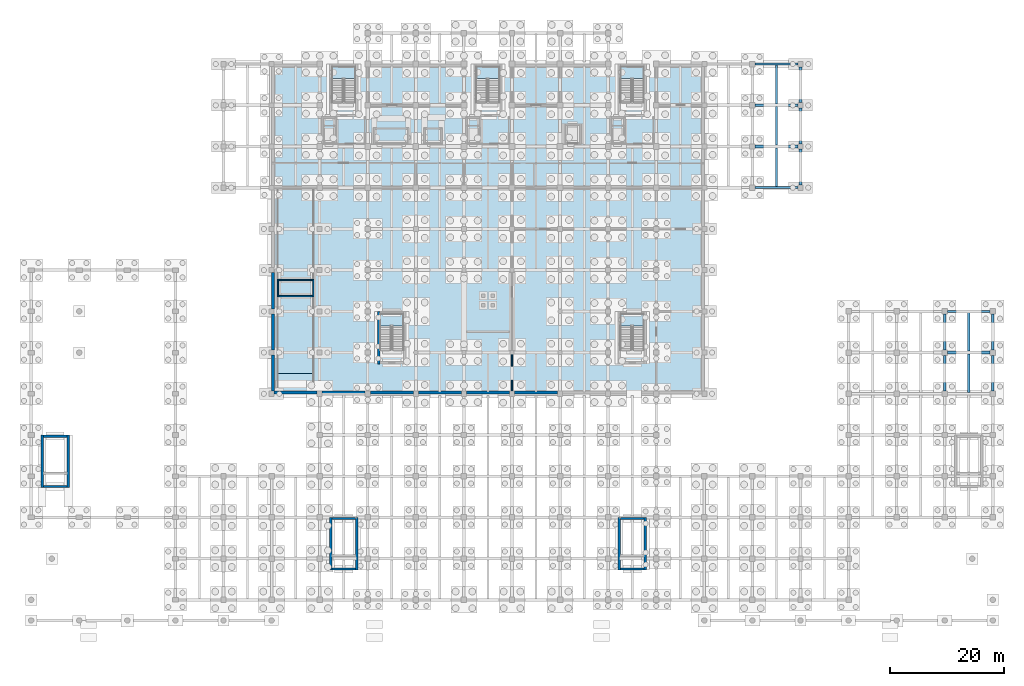
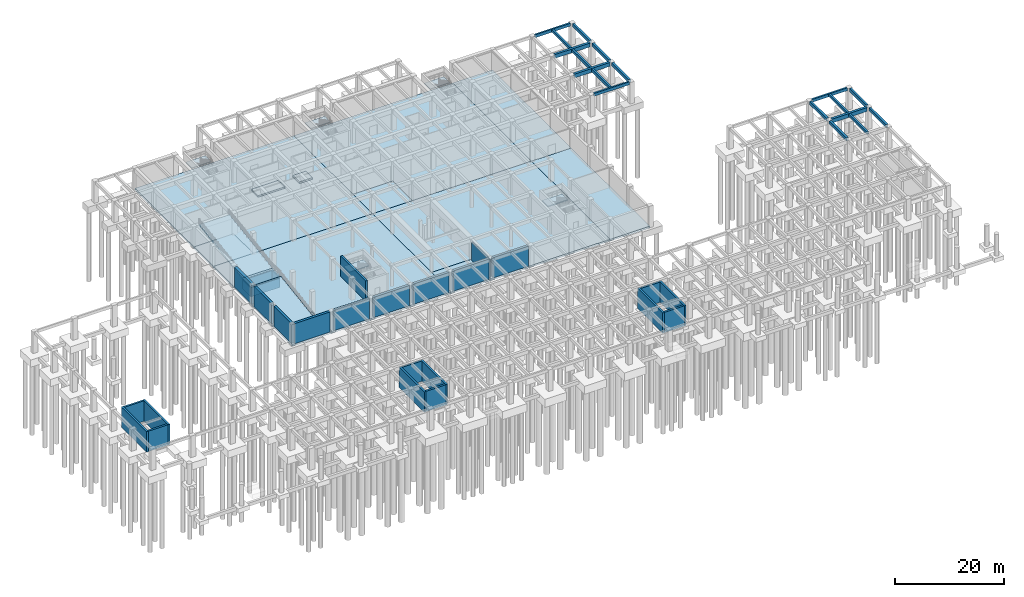
# One storey, part 17 of 26: 27 walls, 20 slabs, 18 beams, 5 elements without a shape of their own.
"""IFC4 building model written with IfcOpenShell, lengths in metres."""

import ifcopenshell
import ifcopenshell.guid

model = None  # the IFC model being written
_history = None  # IfcOwnerHistory: only IFC2X3 demands one
_inside = {}  # id of a spatial element -> (the spatial element, [elements in it])
_under = {}  # id of a project, library or spatial element -> (it, [spatial elements below it])
_declared = {}  # id of a project -> (the project, [libraries it declares])
_typed = {}  # id of a type object -> (the type object, [elements of that type])
_made_of = {}  # id of a material, layer set ... -> (it, [elements and type objects made of it])


def new_model(schema):
    """Start an empty IFC model of exactly this schema.

    Asked for "IFC4X3", IfcOpenShell would pick the latest addendum, in which some entities
    have other attributes; the version numbers below select the first issue.
    IFC2X3 requires an IfcOwnerHistory on every rooted entity: one is made here for all.
    """
    global model, _history
    if schema == "IFC4X3":
        model = ifcopenshell.file(schema_version=(4, 3, 0, 0))
    else:
        model = ifcopenshell.file(schema=schema)
    _inside.clear()
    _under.clear()
    _declared.clear()
    _typed.clear()
    _made_of.clear()
    _history = None
    if model.schema == "IFC2X3":
        org = make("IfcOrganization", Name="unknown")
        user = make(
            "IfcPersonAndOrganization",
            ThePerson=make("IfcPerson", FamilyName="unknown"),
            TheOrganization=org,
        )
        app = make(
            "IfcApplication",
            ApplicationDeveloper=org,
            Version="unknown",
            ApplicationFullName="unknown",
            ApplicationIdentifier="unknown",
        )
        _history = make(
            "IfcOwnerHistory",
            OwningUser=user,
            OwningApplication=app,
            ChangeAction="ADDED",
            CreationDate=0,
        )
    return model


def make(cls, **values):
    """One entity of the class cls with the attributes given. An attribute that is None is left unset."""
    return model.create_entity(
        cls, **{name: value for name, value in values.items() if value is not None}
    )


def rooted(cls, **values):
    """An entity with a GlobalId (a new one), such as an element, a storey or a relation."""
    return make(cls, GlobalId=ifcopenshell.guid.new(), OwnerHistory=_history, **values)


def si_unit(unit_type, name, prefix=None):
    """IfcSIUnit, for example si_unit("LENGTHUNIT", "METRE", prefix="MILLI")."""
    return make("IfcSIUnit", UnitType=unit_type, Prefix=prefix, Name=name)


def assignment(units):
    """IfcUnitAssignment: the units of a project."""
    return None if units is None else make("IfcUnitAssignment", Units=units)


def point(xyz):
    """IfcCartesianPoint."""
    return None if xyz is None else make("IfcCartesianPoint", Coordinates=xyz)


def direction(xyz):
    """IfcDirection."""
    return None if xyz is None else make("IfcDirection", DirectionRatios=xyz)


def frame(location, z_axis=None, x_axis=None):
    """IfcAxis2Placement3D, a coordinate frame: its origin and axes. An axis left out is left unset."""
    return make(
        "IfcAxis2Placement3D",
        Location=point(location),
        Axis=direction(z_axis),
        RefDirection=direction(x_axis),
    )


def frame_2d(location, x_axis=None):
    """IfcAxis2Placement2D, a coordinate frame in the plane: its origin and x axis."""
    return make(
        "IfcAxis2Placement2D", Location=point(location), RefDirection=direction(x_axis)
    )


def origin():
    """The frame at (0, 0, 0) with its axes left unset."""
    return frame((0.0, 0.0, 0.0))


def origin_2d():
    """The frame at (0, 0) in the plane with its x axis left unset."""
    return frame_2d((0.0, 0.0))


def place(relative_to, where):
    """IfcLocalPlacement: puts the frame where relative to a parent placement (None: the world)."""
    return make(
        "IfcLocalPlacement", PlacementRelTo=relative_to, RelativePlacement=where
    )


def context(
    kind, dimensions, precision=None, world=None, true_north=None, identifier=None
):
    """IfcGeometricRepresentationContext, for example the 3D "Model" context."""
    return make(
        "IfcGeometricRepresentationContext",
        ContextIdentifier=identifier,
        ContextType=kind,
        CoordinateSpaceDimension=dimensions,
        Precision=precision,
        WorldCoordinateSystem=world,
        TrueNorth=true_north,
    )


def subcontext(parent, identifier, kind, view, scale=None):
    """IfcGeometricRepresentationSubContext, for example "Body" below "Model"."""
    return make(
        "IfcGeometricRepresentationSubContext",
        ContextIdentifier=identifier,
        ContextType=kind,
        ParentContext=parent,
        TargetScale=scale,
        TargetView=view,
    )


def project(units=None, contexts=None):
    """IfcProject with its units and contexts."""
    return rooted(
        "IfcProject",
        Name="project",
        RepresentationContexts=contexts,
        UnitsInContext=assignment(units),
    )


def spatial(cls, under=None, at=None, **own):
    """A site, building, storey or space (cls), placed at a placement, below another one or the project."""
    s = rooted(cls, ObjectPlacement=at, **own)
    if under is not None:
        _under.setdefault(under.id(), (under, []))[1].append(s)
    return s


def polyline(points):
    """IfcPolyline through the points."""
    return make("IfcPolyline", Points=[point(p) for p in points])


def profile(cls, at=None, kind="AREA", **sizes):
    """A parametric profile (cls). Its sizes go by their IFC names, for example OverallWidth=200.0."""
    return make(cls, ProfileType=kind, Position=at, **sizes)


def rectangle(**sizes):
    """IfcRectangleProfileDef."""
    return profile("IfcRectangleProfileDef", **sizes)


def outline(outer, holes=None, kind="AREA"):
    """IfcArbitraryClosedProfileDef: a profile drawn as a closed curve; with holes, ...WithVoids."""
    if holes is None:
        return make("IfcArbitraryClosedProfileDef", ProfileType=kind, OuterCurve=outer)
    return make(
        "IfcArbitraryProfileDefWithVoids",
        ProfileType=kind,
        OuterCurve=outer,
        InnerCurves=holes,
    )


def extrude(swept, where, along, depth):
    """IfcExtrudedAreaSolid: the profile swept, set in the frame where, extruded along a direction by depth."""
    return make(
        "IfcExtrudedAreaSolid",
        SweptArea=swept,
        Position=where,
        ExtrudedDirection=direction(along),
        Depth=depth,
    )


def shape(context_of_items, identifier, shape_type, items):
    """IfcShapeRepresentation: the items that make up one representation, for example the "Body"."""
    return make(
        "IfcShapeRepresentation",
        ContextOfItems=context_of_items,
        RepresentationIdentifier=identifier,
        RepresentationType=shape_type,
        Items=items,
    )


def material(Name=None, Category=None):
    """IfcMaterial."""
    return make("IfcMaterial", Name=Name, Category=Category)


def layer(
    of_material, thickness, ventilated=None, Name=None, Category=None, Priority=None
):
    """IfcMaterialLayer: one layer of a wall or slab, of a material (None: an air gap)."""
    return make(
        "IfcMaterialLayer",
        Material=of_material,
        LayerThickness=thickness,
        IsVentilated=ventilated,
        Name=Name,
        Category=Category,
        Priority=Priority,
    )


def layer_set(layers, Name=None):
    """IfcMaterialLayerSet."""
    return make("IfcMaterialLayerSet", MaterialLayers=layers, LayerSetName=Name)


def material_profile(
    of_material, cross_section, Name=None, Category=None, Priority=None
):
    """IfcMaterialProfile: a cross section and its material."""
    return make(
        "IfcMaterialProfile",
        Name=Name,
        Material=of_material,
        Profile=cross_section,
        Priority=Priority,
        Category=Category,
    )


def profile_set(profiles, Name=None, composite=None):
    """IfcMaterialProfileSet."""
    return make(
        "IfcMaterialProfileSet",
        Name=Name,
        MaterialProfiles=profiles,
        CompositeProfile=composite,
    )


def made_of(thing, what):
    """Note that an element or type object is made of a material, layer set ...; save() writes the relation."""
    if what is not None:
        _made_of.setdefault(what.id(), (what, []))[1].append(thing)
    return thing


def type_object(cls, material=None, **own):
    """A type object (cls), such as IfcWallType, which elements share."""
    return made_of(rooted(cls, **own), material)


def element(
    cls,
    number,
    at=None,
    inside=None,
    cuts=None,
    type_object=None,
    material=None,
    context=None,
    identifier="Body",
    shape_type=None,
    held_by="IfcProductDefinitionShape",
    body=None,
    shapes=None,
    **own,
):
    """One element of the class cls, such as IfcWall. Its Tag is "e" and its number.

    at: its placement. inside: the storey or other place that contains it. cuts: it is an
    opening in that element (IfcRelVoidsElement). A single representation is given by context,
    identifier, shape_type and body (its items); several are given by shapes. held_by: the class
    of the entity that holds the representations. save() writes the other relations.
    """
    e = rooted(cls, Tag="e%d" % number, ObjectPlacement=at, **own)
    if body is not None:
        shapes = [shape(context, identifier, shape_type, body)]
    if shapes is not None:
        e.Representation = make(held_by, Representations=shapes)
    if inside is not None:
        _inside.setdefault(inside.id(), (inside, []))[1].append(e)
    if cuts is not None:
        rooted(
            "IfcRelVoidsElement", RelatingBuildingElement=cuts, RelatedOpeningElement=e
        )
    if type_object is not None:
        _typed.setdefault(type_object.id(), (type_object, []))[1].append(e)
    return made_of(e, material)


def aggregate(whole, parts):
    """IfcRelAggregates: a whole, such as a stair, and the parts it consists of."""
    return rooted("IfcRelAggregates", RelatingObject=whole, RelatedObjects=parts)


def save(model, path):
    """Write the relations noted so far, then the file.

    IfcRelAggregates (storeys below a building ...), IfcRelContainedInSpatialStructure (elements
    in a storey), IfcRelDefinesByType, IfcRelAssociatesMaterial and IfcRelDeclares: one each for
    every whole, place, type object, material and project.
    """
    for whole, parts in _under.values():
        aggregate(whole, parts)
    for where, things in _inside.values():
        rooted(
            "IfcRelContainedInSpatialStructure",
            RelatedElements=things,
            RelatingStructure=where,
        )
    for kind, things in _typed.values():
        rooted("IfcRelDefinesByType", RelatedObjects=things, RelatingType=kind)
    for what, things in _made_of.values():
        rooted("IfcRelAssociatesMaterial", RelatedObjects=things, RelatingMaterial=what)
    for by, libraries in _declared.values():
        rooted("IfcRelDeclares", RelatingContext=by, RelatedDefinitions=libraries)
    model.write(path)


model = new_model("IFC4")

# Units and contexts
model_context = context("Model", 3, precision=1e-05, world=origin(), true_north=direction((0.0, 1.0)))
body_context = subcontext(model_context, "Body", "Model", "MODEL_VIEW")
ifc_project = project(units=[si_unit("LENGTHUNIT", "METRE"), si_unit("AREAUNIT", "SQUARE_METRE"), si_unit("VOLUMEUNIT", "CUBIC_METRE"), si_unit("PLANEANGLEUNIT", "RADIAN"), si_unit("MASSUNIT", "GRAM", prefix="KILO")], contexts=[model_context])

# Site, building, storey
site_placement = place(None, origin())
site = spatial("IfcSite", under=ifc_project, at=site_placement, CompositionType="ELEMENT")
building_placement = place(site_placement, origin())
building = spatial("IfcBuilding", under=site, at=building_placement, Name="Kenerak Square Central Library", CompositionType="ELEMENT")
storey_placement = place(building_placement, frame((0.0, 0.0, -4.800048828125)))
storey = spatial("IfcBuildingStorey", under=building, at=storey_placement, Name="B1", CompositionType="ELEMENT", Elevation=-4.800048828125)

# Beams
ifc_material = material(Name="Concrete C40/50", Category="concrete")
ifc_material_profile_1 = material_profile(ifc_material, rectangle(XDim=0.35009765625, YDim=0.64990234375, at=origin_2d()), Name="RC 350x650")
ifc_profile_set_1 = profile_set([ifc_material_profile_1], Name="Concrete C40/50")
beam_type_1 = type_object("IfcBeamType", Name="Perimeter Plinth Spandrel SP-03 RC 350x650 C40/50", PredefinedType="SPANDREL", material=ifc_profile_set_1)
for number, where, z_axis, x_axis, name in (
    (1, (168.074951171875, 67.199951171875, 4.47509765625), (1.0, 0.0, 0.0), (0.0, 1.0, 0.0), "Beam SP-03 B1 0096"),
    (2, (134.47509765625, 88.800048828125, 4.47509765625), (1.0, 0.0, 0.0), (0.0, 1.0, 0.0), "Beam SP-03 B1 0123"),
    (3, (134.47509765625, 110.39990234375, 4.47509765625), (1.0, 0.0, 0.0), (0.0, 1.0, 0.0), "Beam SP-03 B1 0153"),
):
    element("IfcBeam", number, at=place(storey_placement, frame(where, z_axis=z_axis, x_axis=x_axis)), inside=storey, type_object=beam_type_1, Name=name, PredefinedType="SPANDREL", context=body_context, shape_type="SweptSolid", body=[
        extrude(rectangle(XDim=0.35009765625, YDim=0.64990234375, at=origin_2d()), origin(), (0.0, 0.0, 1.0), 7.449951171875),
    ])
ifc_material_profile_2 = material_profile(ifc_material, rectangle(XDim=0.39990234375, YDim=0.60009765625, at=origin_2d()), Name="RC 400x600")
ifc_profile_set_2 = profile_set([ifc_material_profile_2], Name="Concrete C40/50")
beam_type_2 = type_object("IfcBeamType", Name="Secondary Floor Joist J-01 RC 400x600 C40/50", PredefinedType="JOIST", material=ifc_profile_set_2)
beam_1_placement = place(storey_placement, frame((138.199951171875, 88.97509765625, 4.5), z_axis=(0.0, 1.0, 0.0), x_axis=(-1.0, 0.0, 0.0)))
element("IfcBeam", 4, at=beam_1_placement, inside=storey, type_object=beam_type_2, Name="Joist J-01 B1 0426", PredefinedType="JOIST", context=body_context, shape_type="SweptSolid", body=[
    extrude(rectangle(XDim=0.39990234375, YDim=0.60009765625, at=origin_2d()), origin(), (0.0, 0.0, 1.0), 6.77490234375),
])
beam_2_placement = place(storey_placement, frame((138.199951171875, 96.25, 4.5), z_axis=(0.0, 1.0, 0.0), x_axis=(-1.0, 0.0, 0.0)))
element("IfcBeam", 5, at=beam_2_placement, inside=storey, type_object=beam_type_2, Name="Joist J-01 B1 0427", PredefinedType="JOIST", context=body_context, shape_type="SweptSolid", body=[
    extrude(rectangle(XDim=0.39990234375, YDim=0.60009765625, at=origin_2d()), origin(), (0.0, 0.0, 1.0), 6.699951171875),
])
beam_3_placement = place(storey_placement, frame((138.199951171875, 103.449951171875, 4.5), z_axis=(0.0, 1.0, 0.0), x_axis=(-1.0, 0.0, 0.0)))
element("IfcBeam", 6, at=beam_3_placement, inside=storey, type_object=beam_type_2, Name="Joist J-01 B1 0428", PredefinedType="JOIST", context=body_context, shape_type="SweptSolid", body=[
    extrude(rectangle(XDim=0.39990234375, YDim=0.60009765625, at=origin_2d()), origin(), (0.0, 0.0, 1.0), 6.775146484375),
])
beam_4_placement = place(storey_placement, frame((171.800048828125, 53.050048828125, 4.5), z_axis=(0.0, 1.0, 0.0), x_axis=(-1.0, 0.0, 0.0)))
element("IfcBeam", 7, at=beam_4_placement, inside=storey, type_object=beam_type_2, Name="Joist J-01 B1 0445", PredefinedType="JOIST", context=body_context, shape_type="SweptSolid", body=[
    extrude(rectangle(XDim=0.39990234375, YDim=0.60009765625, at=origin_2d()), origin(), (0.0, 0.0, 1.0), 6.699951171875),
])
beam_5_placement = place(storey_placement, frame((171.800048828125, 60.25, 4.5), z_axis=(0.0, 1.0, 0.0), x_axis=(-1.0, 0.0, 0.0)))
element("IfcBeam", 8, at=beam_5_placement, inside=storey, type_object=beam_type_2, Name="Joist J-01 B1 0446", PredefinedType="JOIST", context=body_context, shape_type="SweptSolid", body=[
    extrude(rectangle(XDim=0.39990234375, YDim=0.60009765625, at=origin_2d()), origin(), (0.0, 0.0, 1.0), 6.77490234375),
])
ifc_material_profile_3 = material_profile(ifc_material, rectangle(XDim=0.5, YDim=0.85009765625, at=origin_2d()), Name="RC 500x850")
ifc_profile_set_3 = profile_set([ifc_material_profile_3], Name="Concrete C40/50")
beam_type_3 = type_object("IfcBeamType", Name="Sub-Grade Plinth Girder B-09 RC 500x850 C40/50", PredefinedType="BEAM", material=ifc_profile_set_3)
for number, where, z_axis, x_axis, name in (
    (9, (168.074951171875, 60.0, 4.375), (1.0, 0.0, 0.0), (0.0, 1.0, 0.0), "Beam B-09 B1 0092"),
    (10, (134.47509765625, 96.0, 4.375), (1.0, 0.0, 0.0), (0.0, 1.0, 0.0), "Beam B-09 B1 0135"),
    (11, (134.47509765625, 103.199951171875, 4.375), (1.0, 0.0, 0.0), (0.0, 1.0, 0.0), "Beam B-09 B1 0144"),
):
    element("IfcBeam", number, at=place(storey_placement, frame(where, z_axis=z_axis, x_axis=x_axis)), inside=storey, type_object=beam_type_3, Name=name, PredefinedType="BEAM", context=body_context, shape_type="SweptSolid", body=[
        extrude(rectangle(XDim=0.5, YDim=0.85009765625, at=origin_2d()), origin(), (0.0, 0.0, 1.0), 7.449951171875),
    ])
ifc_material_profile_4 = material_profile(ifc_material, rectangle(XDim=0.449951171875, YDim=0.699951171875, at=origin_2d()), Name="RC 450x700")
ifc_profile_set_4 = profile_set([ifc_material_profile_4], Name="Concrete C40/50")
beam_type_4 = type_object("IfcBeamType", Name="Sub-Grade Tie Beam B-10 RC 450x700 C40/50", PredefinedType="BEAM", material=ifc_profile_set_4)
for number, where, z_axis, x_axis, name in (
    (12, (142.39990234375, 89.27490234375, 4.449951171875), (0.0, 1.0, 0.0), (-1.0, 0.0, 0.0), "Beam B-10 B1 0301"),
    (13, (142.39990234375, 96.47509765625, 4.449951171875), (0.0, 1.0, 0.0), (-1.0, 0.0, 0.0), "Beam B-10 B1 0302"),
    (14, (142.39990234375, 103.675048828125, 4.449951171875), (0.0, 1.0, 0.0), (-1.0, 0.0, 0.0), "Beam B-10 B1 0303"),
    (15, (167.60009765625, 53.27490234375, 4.449951171875), (0.0, 1.0, 0.0), (-1.0, 0.0, 0.0), "Beam B-10 B1 0319"),
    (16, (167.60009765625, 60.47509765625, 4.449951171875), (0.0, 1.0, 0.0), (-1.0, 0.0, 0.0), "Beam B-10 B1 0320"),
    (17, (176.0, 53.27490234375, 4.449951171875), (0.0, 1.0, 0.0), (-1.0, 0.0, 0.0), "Beam B-10 B1 0324"),
    (18, (176.0, 60.47509765625, 4.449951171875), (0.0, 1.0, 0.0), (-1.0, 0.0, 0.0), "Beam B-10 B1 0325"),
):
    element("IfcBeam", number, at=place(storey_placement, frame(where, z_axis=z_axis, x_axis=x_axis)), inside=storey, type_object=beam_type_4, Name=name, PredefinedType="BEAM", context=body_context, shape_type="SweptSolid", body=[
        extrude(rectangle(XDim=0.449951171875, YDim=0.699951171875, at=origin_2d()), origin(), (0.0, 0.0, 1.0), 6.25),
    ])

# Stair, slab
stair_type = type_object("IfcStairType", Name="Exit Dogleg Stair ST-480 C40/50", PredefinedType="HALF_TURN_STAIR", material=ifc_material)
stair_1_placement = place(storey_placement, origin())
stair_1 = element("IfcStair", 19, at=stair_1_placement, inside=storey, type_object=stair_type, Name="B1 Protected Exit Stair ST-01", PredefinedType="HALF_TURN_STAIR")
ifc_layer_1 = layer(ifc_material, 0.199951171875)
ifc_layer_set_1 = layer_set([ifc_layer_1], Name="Concrete C40/50")
slab_type_1 = type_object("IfcSlabType", Name="Stair Half-Landing Slab LD-200 C40/50", PredefinedType="LANDING", material=ifc_layer_set_1)
slab_1_placement = place(storey_placement, frame((0.0, 0.0, 2.199951171875)))
slab_1 = element("IfcSlab", 20, at=slab_1_placement, type_object=slab_type_1, Name="ST-01 Landing 1", PredefinedType="LANDING", context=body_context, shape_type="SweptSolid", body=[
    extrude(outline(polyline([(64.679931640625, 107.85009765625), (64.679931640625, 110.0), (60.52001953125, 110.0), (60.52001953125, 107.85009765625), (64.679931640625, 107.85009765625)])), origin(), (0.0, 0.0, 1.0), 0.2001953125),
])
aggregate(stair_1, [slab_1])

stair_2_placement = place(storey_placement, origin())
stair_2 = element("IfcStair", 21, at=stair_2_placement, inside=storey, type_object=stair_type, Name="B1 Protected Exit Stair ST-02", PredefinedType="HALF_TURN_STAIR")
slab_2_placement = place(storey_placement, frame((0.0, 0.0, 2.199951171875)))
slab_2 = element("IfcSlab", 22, at=slab_2_placement, type_object=slab_type_1, Name="ST-02 Landing 1", PredefinedType="LANDING", context=body_context, shape_type="SweptSolid", body=[
    extrude(outline(polyline([(89.8798828125, 107.85009765625), (89.8798828125, 110.0), (85.719970703125, 110.0), (85.719970703125, 107.85009765625), (89.8798828125, 107.85009765625)])), origin(), (0.0, 0.0, 1.0), 0.2001953125),
])
aggregate(stair_2, [slab_2])

stair_3_placement = place(storey_placement, origin())
stair_3 = element("IfcStair", 23, at=stair_3_placement, inside=storey, type_object=stair_type, Name="B1 Protected Exit Stair ST-03", PredefinedType="HALF_TURN_STAIR")
slab_3_placement = place(storey_placement, frame((0.0, 0.0, 2.199951171875)))
slab_3 = element("IfcSlab", 24, at=slab_3_placement, type_object=slab_type_1, Name="ST-03 Landing 1", PredefinedType="LANDING", context=body_context, shape_type="SweptSolid", body=[
    extrude(outline(polyline([(115.080078125, 107.85009765625), (115.080078125, 110.0), (110.919921875, 110.0), (110.919921875, 107.85009765625), (115.080078125, 107.85009765625)])), origin(), (0.0, 0.0, 1.0), 0.2001953125),
])
aggregate(stair_3, [slab_3])

stair_4_placement = place(storey_placement, origin())
stair_4 = element("IfcStair", 25, at=stair_4_placement, inside=storey, type_object=stair_type, Name="B1 Protected Exit Stair ST-08", PredefinedType="HALF_TURN_STAIR")
slab_4_placement = place(storey_placement, frame((0.0, 0.0, 2.199951171875)))
slab_4 = element("IfcSlab", 26, at=slab_4_placement, type_object=slab_type_1, Name="ST-08 Landing 1", PredefinedType="LANDING", context=body_context, shape_type="SweptSolid", body=[
    extrude(outline(polyline([(73.080078125, 64.64990234375), (73.080078125, 66.800048828125), (68.919921875, 66.800048828125), (68.919921875, 64.64990234375), (73.080078125, 64.64990234375)])), origin(), (0.0, 0.0, 1.0), 0.2001953125),
])
aggregate(stair_4, [slab_4])

stair_5_placement = place(storey_placement, origin())
stair_5 = element("IfcStair", 27, at=stair_5_placement, inside=storey, type_object=stair_type, Name="B1 Protected Exit Stair ST-09", PredefinedType="HALF_TURN_STAIR")
slab_5_placement = place(storey_placement, frame((0.0, 0.0, 2.199951171875)))
slab_5 = element("IfcSlab", 28, at=slab_5_placement, type_object=slab_type_1, Name="ST-09 Landing 1", PredefinedType="LANDING", context=body_context, shape_type="SweptSolid", body=[
    extrude(outline(polyline([(115.080078125, 64.64990234375), (115.080078125, 66.800048828125), (110.919921875, 66.800048828125), (110.919921875, 64.64990234375), (115.080078125, 64.64990234375)])), origin(), (0.0, 0.0, 1.0), 0.2001953125),
])
aggregate(stair_5, [slab_5])

# Slabs
ifc_layer_2 = layer(ifc_material, 0.35009765625)
ifc_layer_set_2 = layer_set([ifc_layer_2], Name="Concrete C40/50")
slab_type_2 = type_object("IfcSlabType", Name="Transfer and Plant Room Slab FS-350 C40/50", PredefinedType="FLOOR", material=ifc_layer_set_2)
slab_6_placement = place(storey_placement, origin())
element("IfcSlab", 29, at=slab_6_placement, inside=storey, type_object=slab_type_2, Name="Passenger Lift Pit Slab W", PredefinedType="FLOOR", context=body_context, shape_type="SweptSolid", body=[
    extrude(outline(polyline([(68.050048828125, 96.64990234375), (73.75, 96.64990234375), (73.75, 99.050048828125), (68.050048828125, 99.050048828125), (68.050048828125, 96.64990234375)])), origin(), (0.0, 0.0, 1.0), 0.35009765625),
])
slab_7_placement = place(storey_placement, origin())
element("IfcSlab", 30, at=slab_7_placement, inside=storey, type_object=slab_type_2, Name="Passenger Lift Pit Slab E", PredefinedType="FLOOR", context=body_context, shape_type="SweptSolid", body=[
    extrude(outline(polyline([(76.85009765625, 96.64990234375), (79.550048828125, 96.64990234375), (79.550048828125, 99.050048828125), (76.85009765625, 99.050048828125), (76.85009765625, 96.64990234375)])), origin(), (0.0, 0.0, 1.0), 0.35009765625),
])
slab_8_placement = place(storey_placement, frame((51.0, 54.0, 0.0), z_axis=(0.0, -0.150696682455, 0.988580047289), x_axis=(1.0, 0.0, 0.0)))
element("IfcSlab", 31, at=slab_8_placement, inside=storey, type_object=slab_type_2, Name="Basement Vehicle Ramp Structural Slab VR-01-F1", PredefinedType="FLOOR", context=body_context, shape_type="SweptSolid", body=[
    extrude(outline(polyline([(0.0, 0.0), (6.39990234375, 0.0), (6.39990234375, 15.927002806384055), (0.0, 15.927002806384055), (0.0, 0.0)])), origin(), (0.0, 0.0, -1.0), 0.35009765625),
])
slab_9_placement = place(storey_placement, frame((0.0, 0.0, 2.050048828125)))
element("IfcSlab", 32, at=slab_9_placement, inside=storey, type_object=slab_type_2, Name="Basement Vehicle Ramp Mid-Landing Slab VR-01-LD", PredefinedType="FLOOR", context=body_context, shape_type="SweptSolid", body=[
    extrude(outline(polyline([(51.0, 69.800048828125), (57.39990234375, 69.800048828125), (57.39990234375, 72.800048828125), (51.0, 72.800048828125), (51.0, 69.800048828125)])), origin(), (0.0, 0.0, 1.0), 0.35009765625),
])
slab_10_placement = place(storey_placement, frame((51.0, 72.800048828125, 2.400146484375), z_axis=(0.0, -0.150169664353, 0.988660240886), x_axis=(1.0, 0.0, 0.0)))
element("IfcSlab", 33, at=slab_10_placement, inside=storey, type_object=slab_type_2, Name="Basement Vehicle Ramp Structural Slab VR-01-F2", PredefinedType="FLOOR", context=body_context, shape_type="SweptSolid", body=[
    extrude(outline(polyline([(0.0, 0.0), (6.39990234375, 0.0), (6.39990234375, 15.981272609860296), (0.0, 15.981272609860296), (0.0, 0.0)])), origin(), (0.0, 0.0, -1.0), 0.35009765625),
])
ifc_layer_3 = layer(ifc_material, 0.39990234375)
ifc_layer_set_3 = layer_set([ifc_layer_3], Name="Concrete C40/50")
slab_type_3 = type_object("IfcSlabType", Name="Waterproofed Basement Base Slab BS-400 C40/50", PredefinedType="BASESLAB", material=ifc_layer_set_3)
slab_11_placement = place(storey_placement, frame((0.0, 0.0, -0.39990234375)))
element("IfcSlab", 34, at=slab_11_placement, inside=storey, type_object=slab_type_3, Name="V5 Floor Slab B1 060", PredefinedType="BASESLAB", context=body_context, shape_type="SweptSolid", body=[
    extrude(outline(polyline([(50.0, 81.60009765625), (83.60009765625, 81.60009765625), (83.60009765625, 52.800048828125), (58.39990234375, 52.800048828125), (58.39990234375, 60.0), (50.0, 60.0), (50.0, 81.60009765625)])), origin(), (0.0, 0.0, 1.0), 0.39990234375),
])
slab_12_placement = place(storey_placement, frame((0.0, 0.0, -0.39990234375)))
element("IfcSlab", 35, at=slab_12_placement, inside=storey, type_object=slab_type_3, Name="V5 Floor Slab B1 061", PredefinedType="BASESLAB", context=body_context, shape_type="SweptSolid", body=[
    extrude(outline(polyline([(58.39990234375, 52.800048828125), (58.39990234375, 60.0), (50.0, 60.0), (50.0, 52.800048828125), (58.39990234375, 52.800048828125)]), holes=[polyline([(50.97998046875, 54.0), (57.419921875, 54.0), (57.419921875, 56.340087890625), (50.97998046875, 56.340087890625), (50.97998046875, 54.0)])]), origin(), (0.0, 0.0, 1.0), 0.39990234375),
])
slab_13_placement = place(storey_placement, frame((0.0, 0.0, -0.39990234375)))
element("IfcSlab", 36, at=slab_13_placement, inside=storey, type_object=slab_type_3, Name="V5 Floor Slab B1 062", PredefinedType="BASESLAB", context=body_context, shape_type="SweptSolid", body=[
    extrude(outline(polyline([(50.0, 110.39990234375), (83.60009765625, 110.39990234375), (83.60009765625, 81.60009765625), (58.39990234375, 81.60009765625), (58.39990234375, 88.800048828125), (50.0, 88.800048828125), (50.0, 110.39990234375)])), origin(), (0.0, 0.0, 1.0), 0.39990234375),
])
slab_14_placement = place(storey_placement, frame((0.0, 0.0, -0.39990234375)))
element("IfcSlab", 37, at=slab_14_placement, inside=storey, type_object=slab_type_3, Name="V5 Floor Slab B1 063", PredefinedType="BASESLAB", context=body_context, shape_type="SweptSolid", body=[
    extrude(outline(polyline([(58.39990234375, 81.60009765625), (58.39990234375, 88.800048828125), (50.0, 88.800048828125), (50.0, 81.60009765625), (58.39990234375, 81.60009765625)])), origin(), (0.0, 0.0, 1.0), 0.39990234375),
])
slab_15_placement = place(storey_placement, frame((0.0, 0.0, -0.39990234375)))
element("IfcSlab", 38, at=slab_15_placement, inside=storey, type_object=slab_type_3, Name="V5 Floor Slab B1 064", PredefinedType="BASESLAB", context=body_context, shape_type="SweptSolid", body=[
    extrude(outline(polyline([(83.60009765625, 81.60009765625), (117.199951171875, 81.60009765625), (117.199951171875, 52.800048828125), (92.0, 52.800048828125), (92.0, 60.0), (83.60009765625, 60.0), (83.60009765625, 81.60009765625)])), origin(), (0.0, 0.0, 1.0), 0.39990234375),
])
slab_16_placement = place(storey_placement, frame((0.0, 0.0, -0.39990234375)))
element("IfcSlab", 39, at=slab_16_placement, inside=storey, type_object=slab_type_3, Name="V5 Floor Slab B1 065", PredefinedType="BASESLAB", context=body_context, shape_type="SweptSolid", body=[
    extrude(outline(polyline([(92.0, 52.800048828125), (92.0, 60.0), (83.60009765625, 60.0), (83.60009765625, 52.800048828125), (92.0, 52.800048828125)])), origin(), (0.0, 0.0, 1.0), 0.39990234375),
])
slab_17_placement = place(storey_placement, frame((0.0, 0.0, -0.39990234375)))
element("IfcSlab", 40, at=slab_17_placement, inside=storey, type_object=slab_type_3, Name="V5 Floor Slab B1 066", PredefinedType="BASESLAB", context=body_context, shape_type="SweptSolid", body=[
    extrude(outline(polyline([(83.60009765625, 110.39990234375), (117.199951171875, 110.39990234375), (117.199951171875, 81.60009765625), (92.0, 81.60009765625), (92.0, 88.800048828125), (83.60009765625, 88.800048828125), (83.60009765625, 110.39990234375)])), origin(), (0.0, 0.0, 1.0), 0.39990234375),
])
slab_18_placement = place(storey_placement, frame((0.0, 0.0, -0.39990234375)))
element("IfcSlab", 41, at=slab_18_placement, inside=storey, type_object=slab_type_3, Name="V5 Floor Slab B1 067", PredefinedType="BASESLAB", context=body_context, shape_type="SweptSolid", body=[
    extrude(outline(polyline([(92.0, 81.60009765625), (92.0, 88.800048828125), (83.60009765625, 88.800048828125), (83.60009765625, 81.60009765625), (92.0, 81.60009765625)])), origin(), (0.0, 0.0, 1.0), 0.39990234375),
])
slab_19_placement = place(storey_placement, frame((0.0, 0.0, -0.39990234375)))
element("IfcSlab", 42, at=slab_19_placement, inside=storey, type_object=slab_type_3, Name="V5 Floor Slab B1 068", PredefinedType="BASESLAB", context=body_context, shape_type="SweptSolid", body=[
    extrude(outline(polyline([(125.60009765625, 52.800048828125), (125.60009765625, 81.60009765625), (117.199951171875, 81.60009765625), (117.199951171875, 52.800048828125), (125.60009765625, 52.800048828125)])), origin(), (0.0, 0.0, 1.0), 0.39990234375),
])
slab_20_placement = place(storey_placement, frame((0.0, 0.0, -0.39990234375)))
element("IfcSlab", 43, at=slab_20_placement, inside=storey, type_object=slab_type_3, Name="V5 Floor Slab B1 069", PredefinedType="BASESLAB", context=body_context, shape_type="SweptSolid", body=[
    extrude(outline(polyline([(125.60009765625, 81.60009765625), (125.60009765625, 110.39990234375), (117.199951171875, 110.39990234375), (117.199951171875, 81.60009765625), (125.60009765625, 81.60009765625)])), origin(), (0.0, 0.0, 1.0), 0.39990234375),
])

# Walls
ifc_layer_4 = layer(ifc_material, 0.25)
ifc_layer_set_4 = layer_set([ifc_layer_4], Name="Concrete C40/50")
wall_type_1 = type_object("IfcWallType", Name="Archive Compartment Wall IW-250 C40/50", PredefinedType="SOLIDWALL", material=ifc_layer_set_4)
wall_1_placement = place(storey_placement, frame((92.0, 59.625, 0.0), z_axis=(0.0, 0.0, 1.0), x_axis=(0.0, -1.0, 0.0)))
element("IfcWall", 44, at=wall_1_placement, inside=storey, type_object=wall_type_1, Name="Interior Wall IW-B1-01-E2-B5", PredefinedType="SOLIDWALL", context=body_context, shape_type="SweptSolid", body=[
    extrude(rectangle(XDim=6.375, YDim=0.25, at=frame_2d((3.1875, 0.0))), origin(), (0.0, 0.0, 1.0), 4.050048828125),
])
ifc_layer_5 = layer(ifc_material, 0.39990234375)
ifc_layer_set_5 = layer_set([ifc_layer_5], Name="Concrete C40/50")
wall_type_2 = type_object("IfcWallType", Name="Core Shear Wall CW-400 C40/50", PredefinedType="SHEAR", material=ifc_layer_set_5)
for number, where, z_axis, x_axis, name in (
    (45, (60.320068359375, 22.0, 0.0), (0.0, 0.0, 1.0), (0.0, 1.0, 0.0), "Core Wall CW-C4 B1 West"),
    (46, (64.8798828125, 31.199951171875, 0.0), (0.0, 0.0, 1.0), (0.0, -1.0, 0.0), "Core Wall CW-C4 B1 East"),
):
    element("IfcWall", number, at=place(storey_placement, frame(where, z_axis=z_axis, x_axis=x_axis)), inside=storey, type_object=wall_type_2, Name=name, PredefinedType="SHEAR", context=body_context, shape_type="SweptSolid", body=[
        extrude(rectangle(XDim=9.199951171875, YDim=0.39990234375, at=frame_2d((4.60009765625, 0.0))), origin(), (0.0, 0.0, 1.0), 4.550048828125),
    ])
for number, where, z_axis, x_axis, name in (
    (47, (64.679931640625, 22.199951171875, 0.0), (0.0, 0.0, 1.0), (-1.0, 0.0, 0.0), "Core Wall CW-C4 B1 South"),
    (48, (60.52001953125, 31.0, 0.0), (0.0, 0.0, 1.0), (1.0, 0.0, 0.0), "Core Wall CW-C4 B1 North"),
):
    element("IfcWall", number, at=place(storey_placement, frame(where, z_axis=z_axis, x_axis=x_axis)), inside=storey, type_object=wall_type_2, Name=name, PredefinedType="SHEAR", context=body_context, shape_type="SweptSolid", body=[
        extrude(rectangle(XDim=4.159912109375, YDim=0.39990234375, at=frame_2d((2.080078125, 0.0))), origin(), (0.0, 0.0, 1.0), 4.550048828125),
    ])
for number, where, z_axis, x_axis, name in (
    (49, (110.719970703125, 22.0, 0.0), (0.0, 0.0, 1.0), (0.0, 1.0, 0.0), "Core Wall CW-C5 B1 West"),
    (50, (115.280029296875, 31.199951171875, 0.0), (0.0, 0.0, 1.0), (0.0, -1.0, 0.0), "Core Wall CW-C5 B1 East"),
):
    element("IfcWall", number, at=place(storey_placement, frame(where, z_axis=z_axis, x_axis=x_axis)), inside=storey, type_object=wall_type_2, Name=name, PredefinedType="SHEAR", context=body_context, shape_type="SweptSolid", body=[
        extrude(rectangle(XDim=9.199951171875, YDim=0.39990234375, at=frame_2d((4.60009765625, 0.0))), origin(), (0.0, 0.0, 1.0), 4.550048828125),
    ])
for number, where, z_axis, x_axis, name in (
    (51, (115.080078125, 22.199951171875, 0.0), (0.0, 0.0, 1.0), (-1.0, 0.0, 0.0), "Core Wall CW-C5 B1 South"),
    (52, (110.919921875, 31.0, 0.0), (0.0, 0.0, 1.0), (1.0, 0.0, 0.0), "Core Wall CW-C5 B1 North"),
):
    element("IfcWall", number, at=place(storey_placement, frame(where, z_axis=z_axis, x_axis=x_axis)), inside=storey, type_object=wall_type_2, Name=name, PredefinedType="SHEAR", context=body_context, shape_type="SweptSolid", body=[
        extrude(rectangle(XDim=4.16015625, YDim=0.39990234375, at=frame_2d((2.080078125, 0.0))), origin(), (0.0, 0.0, 1.0), 4.550048828125),
    ])
for number, where, z_axis, x_axis, name in (
    (53, (9.919921875, 36.39990234375, 0.0), (0.0, 0.0, 1.0), (0.0, 1.0, 0.0), "Core Wall CW-C6 B1 West"),
    (54, (14.47998046875, 45.60009765625, 0.0), (0.0, 0.0, 1.0), (0.0, -1.0, 0.0), "Core Wall CW-C6 B1 East"),
):
    element("IfcWall", number, at=place(storey_placement, frame(where, z_axis=z_axis, x_axis=x_axis)), inside=storey, type_object=wall_type_2, Name=name, PredefinedType="SHEAR", context=body_context, shape_type="SweptSolid", body=[
        extrude(rectangle(XDim=9.2001953125, YDim=0.39990234375, at=frame_2d((4.60009765625, 0.0))), origin(), (0.0, 0.0, 1.0), 4.550048828125),
    ])
for number, where, z_axis, x_axis, name in (
    (55, (14.280029296875, 36.60009765625, 0.0), (0.0, 0.0, 1.0), (-1.0, 0.0, 0.0), "Core Wall CW-C6 B1 South"),
    (56, (10.1201171875, 45.39990234375, 0.0), (0.0, 0.0, 1.0), (1.0, 0.0, 0.0), "Core Wall CW-C6 B1 North"),
):
    element("IfcWall", number, at=place(storey_placement, frame(where, z_axis=z_axis, x_axis=x_axis)), inside=storey, type_object=wall_type_2, Name=name, PredefinedType="SHEAR", context=body_context, shape_type="SweptSolid", body=[
        extrude(rectangle(XDim=4.159912109375, YDim=0.39990234375, at=frame_2d((2.080078125, 0.0))), origin(), (0.0, 0.0, 1.0), 4.550048828125),
    ])
wall_2_placement = place(storey_placement, frame((68.719970703125, 58.0, 0.0), z_axis=(0.0, 0.0, 1.0), x_axis=(0.0, 1.0, 0.0)))
element("IfcWall", 57, at=wall_2_placement, inside=storey, type_object=wall_type_2, Name="Core Wall CW-C8 B1 West", PredefinedType="SHEAR", context=body_context, shape_type="SweptSolid", body=[
    extrude(rectangle(XDim=9.199951171875, YDim=0.39990234375, at=frame_2d((4.60009765625, 0.0))), origin(), (0.0, 0.0, 1.0), 4.574951171875),
])
ifc_layer_6 = layer(ifc_material, 0.25)
ifc_layer_set_6 = layer_set([ifc_layer_6], Name="Concrete C40/50")
wall_type_3 = type_object("IfcWallType", Name="Shaft Enclosure Wall SW-250 C40/50", PredefinedType="SOLIDWALL", material=ifc_layer_set_6)
for number, where, z_axis, x_axis, name in (
    (58, (51.125, 69.739990234375, 0.0), (0.0, 0.0, 1.0), (0.0, 1.0, 0.0), "Core Wall VR01LDW B1 West"),
    (59, (57.27490234375, 72.800048828125, 0.0), (0.0, 0.0, 1.0), (0.0, -1.0, 0.0), "Core Wall VR01LDW B1 East"),
):
    element("IfcWall", number, at=place(storey_placement, frame(where, z_axis=z_axis, x_axis=x_axis)), inside=storey, type_object=wall_type_3, Name=name, PredefinedType="SOLIDWALL", context=body_context, shape_type="SweptSolid", body=[
        extrude(rectangle(XDim=3.06005859375, YDim=0.25, at=frame_2d((1.530029296875, 0.0))), origin(), (0.0, 0.0, 1.0), 2.050048828125),
    ])
for number, where, z_axis, x_axis, name in (
    (60, (57.14990234375, 69.864990234375, 0.0), (0.0, 0.0, 1.0), (-1.0, 0.0, 0.0), "Core Wall VR01LDW B1 South"),
    (61, (51.25, 72.675048828125, 0.0), (0.0, 0.0, 1.0), (1.0, 0.0, 0.0), "Core Wall VR01LDW B1 North"),
):
    element("IfcWall", number, at=place(storey_placement, frame(where, z_axis=z_axis, x_axis=x_axis)), inside=storey, type_object=wall_type_3, Name=name, PredefinedType="SOLIDWALL", context=body_context, shape_type="SweptSolid", body=[
        extrude(rectangle(XDim=5.89990234375, YDim=0.25, at=frame_2d((2.949951171875, 0.0))), origin(), (0.0, 0.0, 1.0), 2.050048828125),
    ])
ifc_layer_7 = layer(ifc_material, 0.5)
ifc_layer_set_7 = layer_set([ifc_layer_7], Name="Concrete C40/50")
wall_type_4 = type_object("IfcWallType", Name="Tanked Basement Retaining Wall RW-500 C40/50", PredefinedType="USERDEFINED", material=ifc_layer_set_7)
for number, where, z_axis, x_axis, name in (
    (62, (99.949951171875, 53.050048828125, 0.0), (0.0, 0.0, 1.0), (-1.0, 0.0, 0.0), "Basement Retaining Wall B1 0004"),
    (63, (91.550048828125, 53.050048828125, 0.0), (0.0, 0.0, 1.0), (-1.0, 0.0, 0.0), "Basement Retaining Wall B1 0005"),
    (64, (83.14990234375, 53.050048828125, 0.0), (0.0, 0.0, 1.0), (-1.0, 0.0, 0.0), "Basement Retaining Wall B1 0006"),
    (65, (74.75, 53.050048828125, 0.0), (0.0, 0.0, 1.0), (-1.0, 0.0, 0.0), "Basement Retaining Wall B1 0007"),
    (66, (66.35009765625, 53.050048828125, 0.0), (0.0, 0.0, 1.0), (-1.0, 0.0, 0.0), "Basement Retaining Wall B1 0008"),
    (67, (57.949951171875, 53.050048828125, 0.0), (0.0, 0.0, 1.0), (-1.0, 0.0, 0.0), "Basement Retaining Wall B1 0009"),
):
    element("IfcWall", number, at=place(storey_placement, frame(where, z_axis=z_axis, x_axis=x_axis)), inside=storey, type_object=wall_type_4, Name=name, ObjectType="RETAINING WALL", PredefinedType="USERDEFINED", context=body_context, shape_type="SweptSolid", body=[
        extrude(rectangle(XDim=7.5, YDim=0.5, at=frame_2d((3.75, 0.0))), origin(), (0.0, 0.0, 1.0), 4.5),
    ])
for number, where, z_axis, x_axis, name in (
    (68, (50.25, 53.25, 0.0), (0.0, 0.0, 1.0), (0.0, 1.0, 0.0), "Basement Retaining Wall B1 0010"),
    (69, (50.25, 60.449951171875, 0.0), (0.0, 0.0, 1.0), (0.0, 1.0, 0.0), "Basement Retaining Wall B1 0011"),
    (70, (50.25, 67.64990234375, 0.0), (0.0, 0.0, 1.0), (0.0, 1.0, 0.0), "Basement Retaining Wall B1 0012"),
):
    element("IfcWall", number, at=place(storey_placement, frame(where, z_axis=z_axis, x_axis=x_axis)), inside=storey, type_object=wall_type_4, Name=name, ObjectType="RETAINING WALL", PredefinedType="USERDEFINED", context=body_context, shape_type="SweptSolid", body=[
        extrude(rectangle(XDim=6.300048828125, YDim=0.5, at=frame_2d((3.14990234375, 0.0))), origin(), (0.0, 0.0, 1.0), 4.5),
    ])

save(model, "model.ifc")
